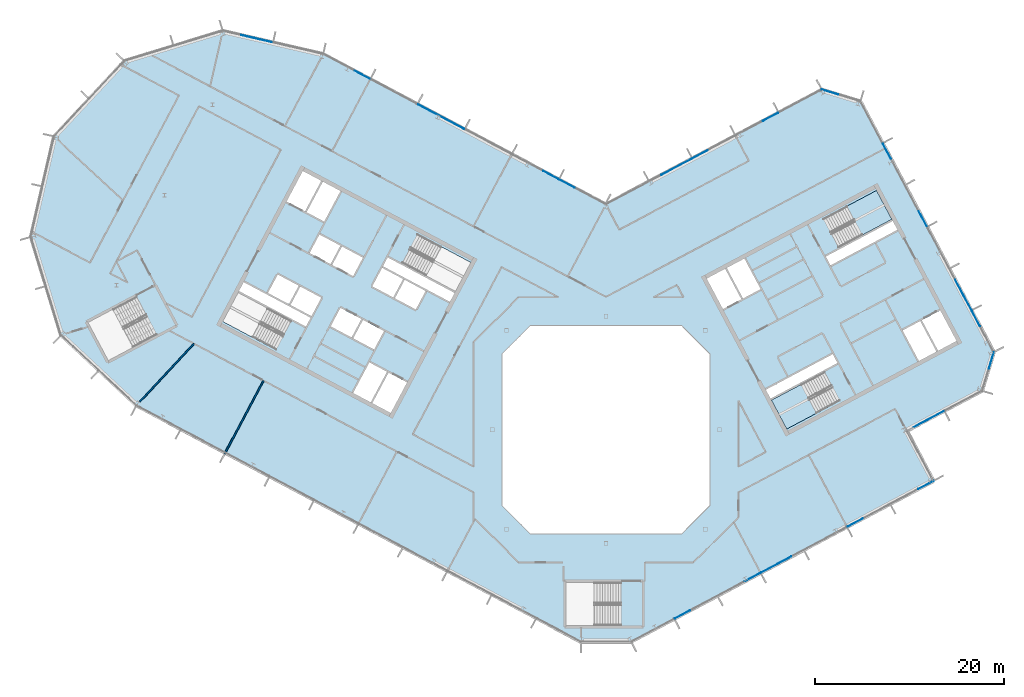
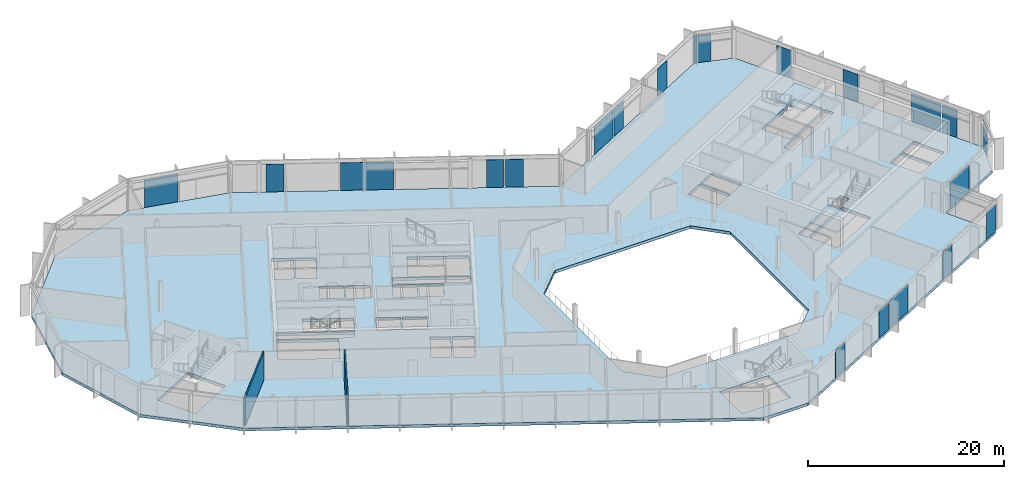
# One storey, part 12 of 26: 20 plates, 3 slabs, 2 walls, 10 elements without a shape of their own.
"""IFC4 building model written with IfcOpenShell, lengths in metres."""

from ifc_helpers import new_model, si_unit, direction, frame, frame_2d, origin, origin_2d, place, context, subcontext, project, spatial, polyline, rectangle, outline, extrude, material, layer, layer_set, type_object, element, aggregate, save


model = new_model("IFC4")

# Units and contexts
model_context = context("Model", 3, precision=1e-05, world=origin(), true_north=direction((0.0, 1.0)))
body_context = subcontext(model_context, "Body", "Model", "MODEL_VIEW")
ifc_project = project(units=[si_unit("LENGTHUNIT", "METRE"), si_unit("AREAUNIT", "SQUARE_METRE"), si_unit("VOLUMEUNIT", "CUBIC_METRE"), si_unit("PLANEANGLEUNIT", "RADIAN"), si_unit("MASSUNIT", "GRAM", prefix="KILO")], contexts=[model_context])

# Site, building, storey
site_placement = place(None, origin())
site = spatial("IfcSite", under=ifc_project, at=site_placement, CompositionType="ELEMENT")
building_placement = place(site_placement, origin())
building = spatial("IfcBuilding", under=site, at=building_placement, Name="Cormorant Relay Tower", CompositionType="ELEMENT")
storey_placement = place(building_placement, frame((0.0, 0.0, 261.89990234375)))
storey = spatial("IfcBuildingStorey", under=building, at=storey_placement, Name="L58", CompositionType="ELEMENT", Elevation=261.89990234375)

# Curtain wall, plates
ifc_material_1 = material(Name="Aluminium 6063-T6 anodised bronze", Category="aluminium")
ifc_layer_1 = layer(ifc_material_1, 0.199951171875)
ifc_layer_set_1 = layer_set([ifc_layer_1], Name="CW1 unitised bronze curtain wall with vertical fins")
curtain_wall_type = type_object("IfcCurtainWallType", Name="CW1 unitised bronze curtain wall with vertical fins", PredefinedType="NOTDEFINED", material=ifc_layer_set_1)
curtain_wall_1_placement = place(storey_placement, origin())
curtain_wall_1 = element("IfcCurtainWall", 1, at=curtain_wall_1_placement, inside=storey, type_object=curtain_wall_type, Name="CW1 curtain wall 2", PredefinedType="NOTDEFINED")
ifc_material_2 = material(Name="Tinted laminated glass", Category="glass")
ifc_layer_2 = layer(ifc_material_2, 0.0400390625)
ifc_layer_set_2 = layer_set([ifc_layer_2], Name="CW1 tinted vision panel 1800 module")
plate_type_1 = type_object("IfcPlateType", Name="CW1 tinted vision panel 1800 module", PredefinedType="CURTAIN_PANEL", material=ifc_layer_set_2)
plate_1_placement = place(storey_placement, frame((8.080810546875, -19.510009765625, 0.0), z_axis=(0.0, 0.0, 1.0), x_axis=(0.882947592859, 0.469471562786, 0.0)))
plate_1 = element("IfcPlate", 2, at=plate_1_placement, type_object=plate_type_1, Name="CW1 panel V01", PredefinedType="CURTAIN_PANEL", context=body_context, shape_type="SweptSolid", body=[
    extrude(rectangle(XDim=1.800048828125, YDim=0.0400390625, at=origin_2d()), origin(), (0.0, 0.0, 1.0), 3.449951171875),
])
plate_2_placement = place(storey_placement, frame((15.48291015625, -15.57421875, 0.0), z_axis=(0.0, 0.0, 1.0), x_axis=(0.882947592859, 0.469471562786, 0.0)))
plate_2 = element("IfcPlate", 3, at=plate_2_placement, type_object=plate_type_1, Name="CW1 panel V03", PredefinedType="CURTAIN_PANEL", context=body_context, shape_type="SweptSolid", body=[
    extrude(rectangle(XDim=1.800048828125, YDim=0.0400390625, at=origin_2d()), origin(), (0.0, 0.0, 1.0), 3.449951171875),
])
plate_3_placement = place(storey_placement, frame((26.328125, -9.8076171875, 0.0), z_axis=(0.0, 0.0, 1.0), x_axis=(0.882947592859, 0.469471562786, 0.0)))
plate_3 = element("IfcPlate", 4, at=plate_3_placement, type_object=plate_type_1, Name="CW1 panel V06", PredefinedType="CURTAIN_PANEL", context=body_context, shape_type="SweptSolid", body=[
    extrude(rectangle(XDim=1.800048828125, YDim=0.0400390625, at=origin_2d()), origin(), (0.0, 0.0, 1.0), 3.449951171875),
])
plate_4_placement = place(storey_placement, frame((33.796142578125, -5.8369140625, 0.0), z_axis=(0.0, 0.0, 1.0), x_axis=(0.882947592859, 0.469471562786, 0.0)))
plate_4 = element("IfcPlate", 5, at=plate_4_placement, type_object=plate_type_1, Name="CW1 panel V08", PredefinedType="CURTAIN_PANEL", context=body_context, shape_type="SweptSolid", body=[
    extrude(rectangle(XDim=1.800048828125, YDim=0.0400390625, at=origin_2d()), origin(), (0.0, 0.0, 1.0), 3.449951171875),
])

# Curtain wall, plate
curtain_wall_2_placement = place(storey_placement, origin())
curtain_wall_2 = element("IfcCurtainWall", 6, at=curtain_wall_2_placement, inside=storey, type_object=curtain_wall_type, Name="CW1 curtain wall 5", PredefinedType="NOTDEFINED")
plate_5_placement = place(storey_placement, frame((40.70751953125, 7.31689453125, 0.0), z_axis=(0.0, 0.0, 1.0), x_axis=(0.292371704723, 0.956304755963, 0.0)))
plate_5 = element("IfcPlate", 7, at=plate_5_placement, type_object=plate_type_1, Name="CW1 panel V01", PredefinedType="CURTAIN_PANEL", context=body_context, shape_type="SweptSolid", body=[
    extrude(rectangle(XDim=1.800048828125, YDim=0.0400390625, at=origin_2d()), origin(), (0.0, 0.0, 1.0), 3.449951171875),
])
aggregate(curtain_wall_2, [plate_5])

# Curtain wall, plates
curtain_wall_3_placement = place(storey_placement, origin())
curtain_wall_3 = element("IfcCurtainWall", 8, at=curtain_wall_3_placement, inside=storey, type_object=curtain_wall_type, Name="CW1 curtain wall 6", PredefinedType="NOTDEFINED")
plate_6_placement = place(storey_placement, frame((39.07958984375, 11.74658203125, 0.0), z_axis=(0.0, 0.0, 1.0), x_axis=(-0.469471562786, 0.882947592859, 0.0)))
plate_6 = element("IfcPlate", 9, at=plate_6_placement, type_object=plate_type_1, Name="CW1 panel V01", PredefinedType="CURTAIN_PANEL", context=body_context, shape_type="SweptSolid", body=[
    extrude(rectangle(XDim=1.800048828125, YDim=0.0400390625, at=origin_2d()), origin(), (0.0, 0.0, 1.0), 3.449951171875),
])
plate_7_placement = place(storey_placement, frame((33.469482421875, 22.298095703125, 0.0), z_axis=(0.0, 0.0, 1.0), x_axis=(-0.469471562786, 0.882947592859, 0.0)))
plate_7 = element("IfcPlate", 10, at=plate_7_placement, type_object=plate_type_1, Name="CW1 panel V04", PredefinedType="CURTAIN_PANEL", context=body_context, shape_type="SweptSolid", body=[
    extrude(rectangle(XDim=1.800048828125, YDim=0.0400390625, at=origin_2d()), origin(), (0.0, 0.0, 1.0), 3.449951171875),
])
plate_8_placement = place(storey_placement, frame((29.690185546875, 29.40576171875, 0.0), z_axis=(0.0, 0.0, 1.0), x_axis=(-0.469471562786, 0.882947592859, 0.0)))
plate_8 = element("IfcPlate", 11, at=plate_8_placement, type_object=plate_type_1, Name="CW1 panel V06", PredefinedType="CURTAIN_PANEL", context=body_context, shape_type="SweptSolid", body=[
    extrude(rectangle(XDim=1.800048828125, YDim=0.0400390625, at=origin_2d()), origin(), (0.0, 0.0, 1.0), 3.449951171875),
])

# Curtain wall, plate
curtain_wall_4_placement = place(storey_placement, origin())
curtain_wall_4 = element("IfcCurtainWall", 12, at=curtain_wall_4_placement, inside=storey, type_object=curtain_wall_type, Name="CW1 curtain wall 7", PredefinedType="NOTDEFINED")
plate_9_placement = place(storey_placement, frame((23.6767578125, 35.668212890625, 0.0), z_axis=(0.0, 0.0, 1.0), x_axis=(-0.956304755963, 0.292371704723, 0.0)))
plate_9 = element("IfcPlate", 13, at=plate_9_placement, type_object=plate_type_1, Name="CW1 panel V01", PredefinedType="CURTAIN_PANEL", context=body_context, shape_type="SweptSolid", body=[
    extrude(rectangle(XDim=1.800048828125, YDim=0.0400390625, at=origin_2d()), origin(), (0.0, 0.0, 1.0), 3.449951171875),
])
aggregate(curtain_wall_4, [plate_9])

# Curtain wall, plates
curtain_wall_5_placement = place(storey_placement, origin())
curtain_wall_5 = element("IfcCurtainWall", 14, at=curtain_wall_5_placement, inside=storey, type_object=curtain_wall_type, Name="CW1 curtain wall 8", PredefinedType="NOTDEFINED")
plate_10_placement = place(storey_placement, frame((17.3779296875, 33.046630859375, 0.0), z_axis=(0.0, 0.0, 1.0), x_axis=(-0.882947592859, -0.469471562786, 0.0)))
plate_10 = element("IfcPlate", 15, at=plate_10_placement, type_object=plate_type_1, Name="CW1 panel V01", PredefinedType="CURTAIN_PANEL", context=body_context, shape_type="SweptSolid", body=[
    extrude(rectangle(XDim=1.800048828125, YDim=0.0400390625, at=origin_2d()), origin(), (0.0, 0.0, 1.0), 3.449951171875),
])
plate_11_placement = place(storey_placement, frame((9.9755859375, 29.110595703125, 0.0), z_axis=(0.0, 0.0, 1.0), x_axis=(-0.882947592859, -0.469471562786, 0.0)))
plate_11 = element("IfcPlate", 16, at=plate_11_placement, type_object=plate_type_1, Name="CW1 panel V03", PredefinedType="CURTAIN_PANEL", context=body_context, shape_type="SweptSolid", body=[
    extrude(rectangle(XDim=1.800048828125, YDim=0.0400390625, at=origin_2d()), origin(), (0.0, 0.0, 1.0), 3.449951171875),
])

curtain_wall_6_placement = place(storey_placement, origin())
curtain_wall_6 = element("IfcCurtainWall", 17, at=curtain_wall_6_placement, inside=storey, type_object=curtain_wall_type, Name="CW1 curtain wall 9", PredefinedType="NOTDEFINED")
plate_12_placement = place(storey_placement, frame((-4.108642578125, 25.9912109375, 0.0), z_axis=(0.0, 0.0, 1.0), x_axis=(-0.882947592859, 0.469471562786, 0.0)))
plate_12 = element("IfcPlate", 18, at=plate_12_placement, type_object=plate_type_1, Name="CW1 panel V01", PredefinedType="CURTAIN_PANEL", context=body_context, shape_type="SweptSolid", body=[
    extrude(rectangle(XDim=1.800048828125, YDim=0.0400390625, at=origin_2d()), origin(), (0.0, 0.0, 1.0), 3.449951171875),
])
plate_13_placement = place(storey_placement, frame((-5.830322265625, 26.90673828125, 0.0), z_axis=(0.0, 0.0, 1.0), x_axis=(-0.882947592859, 0.469471562786, 0.0)))
plate_13 = element("IfcPlate", 19, at=plate_13_placement, type_object=plate_type_1, Name="CW1 panel V02", PredefinedType="CURTAIN_PANEL", context=body_context, shape_type="SweptSolid", body=[
    extrude(rectangle(XDim=1.800048828125, YDim=0.0400390625, at=origin_2d()), origin(), (0.0, 0.0, 1.0), 3.449951171875),
])
plate_14_placement = place(storey_placement, frame((-25.746337890625, 37.49609375, 0.0), z_axis=(0.0, 0.0, 1.0), x_axis=(-0.882947592859, 0.469471562786, 0.0)))
plate_14 = element("IfcPlate", 20, at=plate_14_placement, type_object=plate_type_1, Name="CW1 panel V06", PredefinedType="CURTAIN_PANEL", context=body_context, shape_type="SweptSolid", body=[
    extrude(rectangle(XDim=1.800048828125, YDim=0.0400390625, at=origin_2d()), origin(), (0.0, 0.0, 1.0), 3.449951171875),
])

# Plate
ifc_material_3 = material(Name="Tinted laminated glass", Category="glass")
ifc_layer_3 = layer(ifc_material_3, 0.0400390625)
ifc_layer_set_3 = layer_set([ifc_layer_3], Name="CW1 tinted vision panel 3600 module")
plate_type_2 = type_object("IfcPlateType", Name="CW1 tinted vision panel 3600 module", PredefinedType="CURTAIN_PANEL", material=ifc_layer_set_3)
plate_15_placement = place(storey_placement, frame((17.999267578125, -14.236328125, 0.0), z_axis=(0.0, 0.0, 1.0), x_axis=(0.882947592859, 0.469471562786, 0.0)))
plate_15 = element("IfcPlate", 21, at=plate_15_placement, type_object=plate_type_2, Name="CW1 panel V04", PredefinedType="CURTAIN_PANEL", context=body_context, shape_type="SweptSolid", body=[
    extrude(rectangle(XDim=3.60009765625, YDim=0.0400390625, at=origin_2d()), origin(), (0.0, 0.0, 1.0), 3.449951171875),
])

aggregate(curtain_wall_1, [plate_1, plate_2, plate_15, plate_3, plate_4])

# Curtain wall, plate
curtain_wall_7_placement = place(storey_placement, origin())
curtain_wall_7 = element("IfcCurtainWall", 22, at=curtain_wall_7_placement, inside=storey, type_object=curtain_wall_type, Name="CW1 curtain wall 4", PredefinedType="NOTDEFINED")
plate_16_placement = place(storey_placement, frame((34.091796875, 1.11572265625, 0.0), z_axis=(0.0, 0.0, 1.0), x_axis=(0.882947592859, 0.469471562786, 0.0)))
plate_16 = element("IfcPlate", 23, at=plate_16_placement, type_object=plate_type_2, Name="CW1 panel V01", PredefinedType="CURTAIN_PANEL", context=body_context, shape_type="SweptSolid", body=[
    extrude(rectangle(XDim=3.60009765625, YDim=0.0400390625, at=origin_2d()), origin(), (0.0, 0.0, 1.0), 3.449951171875),
])
aggregate(curtain_wall_7, [plate_16])

# Plate
plate_17_placement = place(storey_placement, frame((37.74169921875, 14.26318359375, 0.0), z_axis=(0.0, 0.0, 1.0), x_axis=(-0.469471562786, 0.882947592859, 0.0)))
plate_17 = element("IfcPlate", 24, at=plate_17_placement, type_object=plate_type_2, Name="CW1 panel V02", PredefinedType="CURTAIN_PANEL", context=body_context, shape_type="SweptSolid", body=[
    extrude(rectangle(XDim=3.60009765625, YDim=0.0400390625, at=origin_2d()), origin(), (0.0, 0.0, 1.0), 3.449951171875),
])

aggregate(curtain_wall_3, [plate_6, plate_17, plate_7, plate_8])

plate_18_placement = place(storey_placement, frame((7.458984375, 27.772705078125, 0.0), z_axis=(0.0, 0.0, 1.0), x_axis=(-0.882947592859, -0.469471562786, 0.0)))
plate_18 = element("IfcPlate", 25, at=plate_18_placement, type_object=plate_type_2, Name="CW1 panel V04", PredefinedType="CURTAIN_PANEL", context=body_context, shape_type="SweptSolid", body=[
    extrude(rectangle(XDim=3.60009765625, YDim=0.0400390625, at=origin_2d()), origin(), (0.0, 0.0, 1.0), 3.449951171875),
])

aggregate(curtain_wall_5, [plate_10, plate_11, plate_18])

# Curtain wall, plate
curtain_wall_8_placement = place(storey_placement, origin())
curtain_wall_8 = element("IfcCurtainWall", 26, at=curtain_wall_8_placement, inside=storey, type_object=curtain_wall_type, Name="CW1 curtain wall 10", PredefinedType="NOTDEFINED")
plate_19_placement = place(storey_placement, frame((-36.9921875, 41.33203125, 0.0), z_axis=(0.0, 0.0, 1.0), x_axis=(-0.974370064785, 0.224951054344, 0.0)))
plate_19 = element("IfcPlate", 27, at=plate_19_placement, type_object=plate_type_2, Name="CW1 panel V02", PredefinedType="CURTAIN_PANEL", context=body_context, shape_type="SweptSolid", body=[
    extrude(rectangle(XDim=3.60009765625, YDim=0.0400390625, at=origin_2d()), origin(), (0.0, 0.0, 1.0), 3.449951171875),
])
aggregate(curtain_wall_8, [plate_19])

# Plate
ifc_material_4 = material(Name="Tinted laminated glass", Category="glass")
ifc_layer_4 = layer(ifc_material_4, 0.0400390625)
ifc_layer_set_4 = layer_set([ifc_layer_4], Name="CW1 tinted vision panel 5400 module")
plate_type_3 = type_object("IfcPlateType", Name="CW1 tinted vision panel 5400 module", PredefinedType="CURTAIN_PANEL", material=ifc_layer_set_4)
plate_20_placement = place(storey_placement, frame((-17.4169921875, 33.0673828125, 0.0), z_axis=(0.0, 0.0, 1.0), x_axis=(-0.882947592859, 0.469471562786, 0.0)))
plate_20 = element("IfcPlate", 28, at=plate_20_placement, type_object=plate_type_3, Name="CW1 panel V04", PredefinedType="CURTAIN_PANEL", context=body_context, shape_type="SweptSolid", body=[
    extrude(rectangle(XDim=5.489013671875, YDim=0.0400390625, at=origin_2d()), origin(), (0.0, 0.0, 1.0), 3.449951171875),
])

aggregate(curtain_wall_6, [plate_12, plate_13, plate_20, plate_14])

# Stair, slab
ifc_material_5 = material(Name="Concrete 40 MPa", Category="concrete")
stair_type = type_object("IfcStairType", Name="Exit stair 1500", PredefinedType="HALF_TURN_STAIR", material=ifc_material_5)
stair_1_placement = place(storey_placement, origin())
stair_1 = element("IfcStair", 29, at=stair_1_placement, inside=storey, type_object=stair_type, Name="L58 Stair", PredefinedType="HALF_TURN_STAIR")
ifc_material_6 = material(Name="Concrete 40 MPa", Category="concrete")
ifc_layer_5 = layer(ifc_material_6, 0.199951171875)
ifc_layer_set_5 = layer_set([ifc_layer_5], Name="Exit stair landing 200")
slab_type_1 = type_object("IfcSlabType", Name="Exit stair landing 200", PredefinedType="LANDING", material=ifc_layer_set_5)
slab_1_placement = place(storey_placement, frame((0.0, 0.0, 1.75)))
slab_1 = element("IfcSlab", 30, at=slab_1_placement, type_object=slab_type_1, Name="B1 landing 1", PredefinedType="LANDING", context=body_context, shape_type="SweptSolid", body=[
    extrude(outline(polyline([(20.614990234375, 4.78857421875), (17.48046875, 3.1220703125), (19.10009765625, 0.075927734375), (22.234619140625, 1.742431640625), (20.614990234375, 4.78857421875)])), origin(), (0.0, 0.0, 1.0), 0.2001953125),
])
aggregate(stair_1, [slab_1])

stair_2_placement = place(storey_placement, origin())
stair_2 = element("IfcStair", 31, at=stair_2_placement, inside=storey, type_object=stair_type, Name="L58 Stair", PredefinedType="HALF_TURN_STAIR")
slab_2_placement = place(storey_placement, frame((0.0, 0.0, 1.75)))
slab_2 = element("IfcSlab", 32, at=slab_2_placement, type_object=slab_type_1, Name="B2 landing 1", PredefinedType="LANDING", context=body_context, shape_type="SweptSolid", body=[
    extrude(outline(polyline([(27.064208984375, 20.562744140625), (30.19873046875, 22.2294921875), (28.5791015625, 25.275634765625), (25.444580078125, 23.60888671875), (27.064208984375, 20.562744140625)])), origin(), (0.0, 0.0, 1.0), 0.2001953125),
])
aggregate(stair_2, [slab_2])

# Slab
ifc_material_7 = material(Name="Concrete 40 MPa", Category="concrete")
ifc_layer_6 = layer(ifc_material_7, 0.360107421875)
ifc_layer_set_6 = layer_set([ifc_layer_6], Name="Flat plate 360")
slab_type_2 = type_object("IfcSlabType", Name="Flat plate 360", PredefinedType="FLOOR", material=ifc_layer_set_6)
slab_3_placement = place(storey_placement, frame((0.0, 0.0, -0.35986328125)))
element("IfcSlab", 33, at=slab_3_placement, inside=storey, type_object=slab_type_2, Name="Floor slab L58", PredefinedType="FLOOR", context=body_context, shape_type="SweptSolid", body=[
    extrude(outline(polyline([(-60.7197265625, 20.393310546875), (-58.2744140625, 30.985107421875), (-50.86083984375, 38.935302734375), (-40.465576171875, 42.11328125), (-29.873779296875, 39.668212890625), (0.0, 23.783935546875), (22.810302734375, 35.912353515625), (26.867431640625, 34.671875), (40.95166015625, 8.18359375), (39.711181640625, 4.126220703125), (31.7646484375, -0.09912109375), (34.581298828125, -5.396728515625), (2.648681640625, -22.37548828125), (-2.648681640625, -22.37548828125), (-49.591552734375, 2.584228515625), (-57.541748046875, 9.997802734375), (-60.7197265625, 20.393310546875)]), holes=[polyline([(11.0, -8.0), (11.0, 8.0), (8.0, 11.0), (-8.0, 11.0), (-11.0, 8.0), (-11.0, -8.0), (-8.0, -11.0), (8.0, -11.0), (11.0, -8.0)]), polyline([(-24.985595703125, 7.112548828125), (-26.69921875, 3.889892578125), (-24.844970703125, 2.90380859375), (-23.13134765625, 6.126708984375), (-23.04296875, 6.07958984375), (-24.985595703125, 7.112548828125)]), polyline([(-22.95458984375, 6.03271484375), (-24.668212890625, 2.81005859375), (-22.725830078125, 1.777099609375), (-21.01220703125, 5.0), (-23.04296875, 6.07958984375), (-22.95458984375, 6.03271484375)]), polyline([(-25.656005859375, 11.602783203125), (-26.688720703125, 9.660400390625), (-24.481201171875, 8.48681640625), (-23.448486328125, 10.42919921875), (-25.656005859375, 11.602783203125)]), polyline([(-49.57861328125, 14.0537109375), (-54.69970703125, 11.330810546875), (-52.563720703125, 7.3134765625), (-47.442626953125, 10.036376953125), (-49.57861328125, 14.0537109375)]), polyline([(-26.865234375, 9.75439453125), (-25.83251953125, 11.69677734375), (-28.039794921875, 12.870361328125), (-29.07275390625, 10.927978515625), (-26.865234375, 9.75439453125)]), polyline([(-33.240966796875, 11.502197265625), (-38.847900390625, 14.483154296875), (-40.46728515625, 11.43701171875), (-34.860595703125, 8.455810546875), (-33.240966796875, 11.502197265625)]), polyline([(-38.260986328125, 15.5869140625), (-38.75390625, 14.659912109375), (-31.690185546875, 10.904052734375), (-31.197265625, 11.8310546875), (-38.260986328125, 15.5869140625)]), polyline([(-31.103515625, 12.0078125), (-30.070556640625, 13.9501953125), (-32.278076171875, 15.123779296875), (-33.310791015625, 13.181396484375), (-31.103515625, 12.0078125)]), polyline([(-34.661865234375, 16.3916015625), (-35.69482421875, 14.448974609375), (-33.4873046875, 13.275390625), (-32.45458984375, 15.2177734375), (-34.661865234375, 16.3916015625)]), polyline([(-24.672119140625, 15.156982421875), (-22.46484375, 13.9833984375), (-21.431884765625, 15.92578125), (-23.639404296875, 17.099609375), (-24.672119140625, 15.156982421875)]), polyline([(-27.87744140625, 19.35302734375), (-28.910400390625, 17.410400390625), (-26.702880859375, 16.23681640625), (-25.670166015625, 18.17919921875), (-27.87744140625, 19.35302734375)]), polyline([(-29.0869140625, 17.50439453125), (-28.053955078125, 19.447021484375), (-30.261474609375, 20.62060546875), (-31.294189453125, 18.677978515625), (-29.0869140625, 17.50439453125)]), polyline([(-31.611572265625, 22.980712890625), (-29.75732421875, 21.99462890625), (-28.043701171875, 25.217529296875), (-29.89794921875, 26.203369140625), (-31.611572265625, 22.980712890625)]), polyline([(-32.01708984375, 27.330078125), (-33.73046875, 24.107421875), (-31.7880859375, 23.074462890625), (-30.074462890625, 26.29736328125), (-32.01708984375, 27.330078125)]), polyline([(-4.199951171875, -16.125), (-4.199951171875, -20.675048828125), (1.60009765625, -20.675048828125), (1.60009765625, -16.125), (-4.199951171875, -16.125)]), polyline([(23.087158203125, 6.10302734375), (17.48046875, 3.1220703125), (19.10009765625, 0.07568359375), (24.706787109375, 3.056884765625), (23.087158203125, 6.10302734375)]), polyline([(17.386474609375, 3.298583984375), (24.4501953125, 7.054443359375), (23.957275390625, 7.9814453125), (16.8935546875, 4.2255859375), (17.386474609375, 3.298583984375)]), polyline([(33.197021484375, 11.478515625), (31.3427734375, 10.49267578125), (33.056396484375, 7.27001953125), (34.910400390625, 8.255859375), (33.197021484375, 11.478515625)]), polyline([(33.37353515625, 11.572509765625), (35.087158203125, 8.349609375), (37.029541015625, 9.382568359375), (35.31591796875, 12.605224609375), (33.37353515625, 11.572509765625)]), polyline([(-20.080810546875, 12.7158203125), (-19.048095703125, 14.658203125), (-21.25537109375, 15.831787109375), (-22.2880859375, 13.889404296875), (-20.080810546875, 12.7158203125)]), polyline([(14.3056640625, 13.779052734375), (12.592041015625, 17.001708984375), (10.649658203125, 15.968994140625), (12.36328125, 12.74609375), (14.39404296875, 13.825927734375), (14.3056640625, 13.779052734375)]), polyline([(16.33642578125, 14.85888671875), (14.622802734375, 18.08154296875), (12.768798828125, 17.095703125), (14.482421875, 13.872802734375), (14.39404296875, 13.825927734375), (16.33642578125, 14.85888671875)]), polyline([(-16.481689453125, 13.520263671875), (-15.989013671875, 14.447509765625), (-23.052490234375, 18.203125), (-23.54541015625, 17.276123046875), (-16.481689453125, 13.520263671875)]), polyline([(-21.501708984375, 17.605224609375), (-15.89501953125, 14.6240234375), (-14.275390625, 17.670166015625), (-19.882080078125, 20.6513671875), (-21.501708984375, 17.605224609375)]), polyline([(30.78564453125, 21.125732421875), (30.29248046875, 22.052978515625), (23.22900390625, 18.297119140625), (23.721923828125, 17.3701171875), (30.78564453125, 21.125732421875)]), polyline([(24.592041015625, 19.248291015625), (30.19873046875, 22.2294921875), (28.5791015625, 25.275634765625), (22.972412109375, 22.29443359375), (24.592041015625, 19.248291015625)])]), origin(), (0.0, 0.0, 1.0), 0.35986328125),
])

# Walls
ifc_material_8 = material(Name="Gypsum board partition")
ifc_layer_7 = layer(ifc_material_8, 0.14990234375)
ifc_layer_set_7 = layer_set([ifc_layer_7], Name="Tenant partition 150")
wall_type = type_object("IfcWallType", Name="Tenant partition 150", PredefinedType="PARTITIONING", material=ifc_layer_set_7)
wall_1_placement = place(storey_placement, frame((-43.51904296875, 9.095947265625, 0.0), z_axis=(0.0, 0.0, 1.0), x_axis=(-0.682006444307, -0.731346162856, 0.0)))
element("IfcWall", 34, at=wall_1_placement, inside=storey, type_object=wall_type, Name="wall/L58/part/006", PredefinedType="PARTITIONING", context=body_context, shape_type="SweptSolid", body=[
    extrude(rectangle(XDim=8.4267578125, YDim=0.14990234375, at=frame_2d((4.21337890625, 0.0))), origin(), (0.0, 0.0, 1.0), 3.5400390625),
])
wall_2_placement = place(storey_placement, frame((-36.166015625, 5.18603515625, 0.0), z_axis=(0.0, 0.0, 1.0), x_axis=(-0.469445946219, -0.882961212952, 0.0)))
element("IfcWall", 35, at=wall_2_placement, inside=storey, type_object=wall_type, Name="wall/L58/part/007", PredefinedType="PARTITIONING", context=body_context, shape_type="SweptSolid", body=[
    extrude(rectangle(XDim=8.800048828125, YDim=0.14990234375, at=frame_2d((4.39990234375, 0.0))), origin(), (0.0, 0.0, 1.0), 3.5400390625),
])

save(model, "model.ifc")
